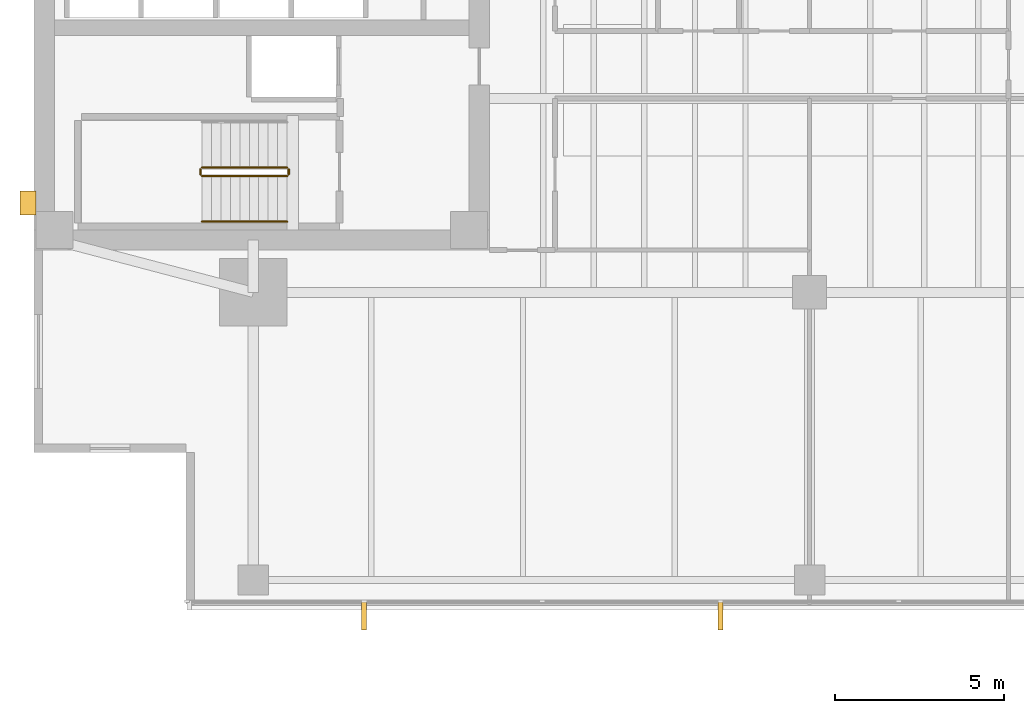
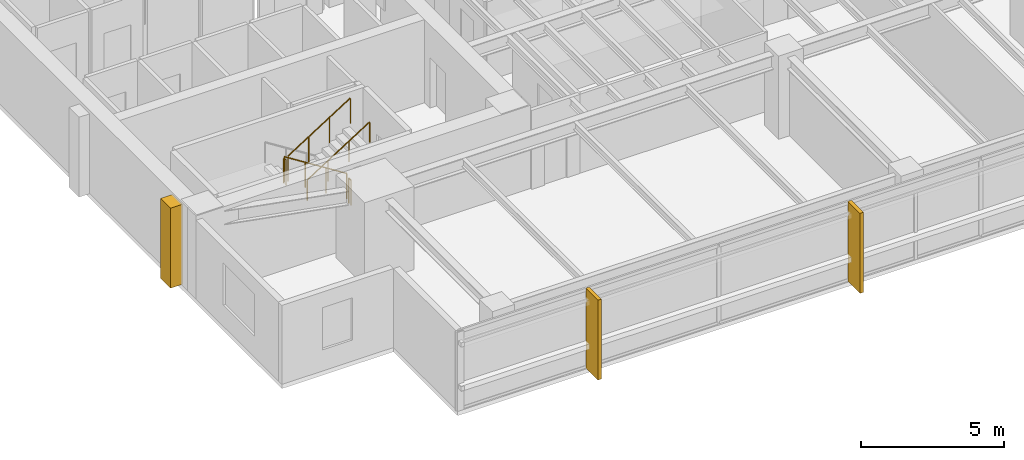
# One storey, part 11 of 14: 5 railings, 3 coverings.
"""IFC4 building model written with IfcOpenShell, lengths in metres."""

from ifc_helpers import new_model, si_unit, direction, frame, origin, origin_2d, place, context, subcontext, project, spatial, polyline, circle, outline, extrude, material, layer, layer_set, type_object, element, save


model = new_model("IFC4")

# Units and contexts
model_context = context("Model", 3, precision=1e-05, world=origin(), true_north=direction((0.0, 1.0)))
body_context = subcontext(model_context, "Body", "Model", "MODEL_VIEW")
ifc_project = project(units=[si_unit("LENGTHUNIT", "METRE"), si_unit("AREAUNIT", "SQUARE_METRE"), si_unit("VOLUMEUNIT", "CUBIC_METRE"), si_unit("PLANEANGLEUNIT", "RADIAN"), si_unit("MASSUNIT", "GRAM", prefix="KILO")], contexts=[model_context])

# Site, building, storey
site_placement = place(None, origin())
site = spatial("IfcSite", under=ifc_project, at=site_placement, CompositionType="ELEMENT")
building_placement = place(site_placement, origin())
building = spatial("IfcBuilding", under=site, at=building_placement, Name="Kinhvarn Gate Tower", CompositionType="ELEMENT")
storey_placement = place(building_placement, frame((0.0, 0.0, 141.300048828125)))
storey = spatial("IfcBuildingStorey", under=building, at=storey_placement, Name="L37", CompositionType="ELEMENT", Elevation=141.300048828125)

# Coverings
ifc_material_1 = material(Name="Fired architectural terracotta", Category="masonry")
ifc_layer_1 = layer(ifc_material_1, 0.139892578125)
ifc_layer_set_1 = layer_set([ifc_layer_1], Name="Fired architectural terracotta")
covering_type_1 = type_object("IfcCoveringType", Name="COV-FIN-850", PredefinedType="CLADDING", material=ifc_layer_set_1)
covering_1_placement = place(storey_placement, frame((0.0, 0.0, -0.02001953125)))
element("IfcCovering", 1, at=covering_1_placement, inside=storey, type_object=covering_type_1, Name="Vertical Terracotta Expressive Fin TFN-850 (L37)", PredefinedType="CLADDING", context=body_context, shape_type="SweptSolid", body=[
    extrude(outline(polyline([(14.2158203125, 3.580078125), (14.355712890625, 3.580078125), (14.355712890625, 2.72998046875), (14.2158203125, 2.72998046875), (14.2158203125, 3.580078125)])), origin(), (0.0, 0.0, 1.0), 3.409912109375),
])
covering_2_placement = place(storey_placement, frame((0.0, 0.0, -0.02001953125)))
element("IfcCovering", 2, at=covering_2_placement, inside=storey, type_object=covering_type_1, Name="Vertical Terracotta Expressive Fin TFN-850 (L37)", PredefinedType="CLADDING", context=body_context, shape_type="SweptSolid", body=[
    extrude(outline(polyline([(24.787109375, 3.580078125), (24.927001953125, 3.580078125), (24.927001953125, 2.72998046875), (24.787109375, 2.72998046875), (24.787109375, 3.580078125)])), origin(), (0.0, 0.0, 1.0), 3.409912109375),
])
ifc_material_2 = material(Name="Precast white architectural concrete C40/50", Category="concrete")
ifc_layer_2 = layer(ifc_material_2, 0.47998046875)
ifc_layer_set_2 = layer_set([ifc_layer_2], Name="Precast white architectural concrete C40/50")
covering_type_2 = type_object("IfcCoveringType", Name="COV-RIB-450", PredefinedType="CLADDING", material=ifc_layer_set_2)
covering_3_placement = place(storey_placement, frame((0.0, 0.0, -0.02001953125)))
element("IfcCovering", 3, at=covering_3_placement, inside=storey, type_object=covering_type_2, Name="West Core Sculptural Concrete Relief Rib CRB-450 (L37)", PredefinedType="CLADDING", context=body_context, shape_type="SweptSolid", body=[
    extrude(outline(polyline([(4.080078125, 15.050048828125), (4.56005859375, 15.050048828125), (4.56005859375, 15.75), (4.080078125, 15.75), (4.080078125, 15.050048828125)])), origin(), (0.0, 0.0, 1.0), 3.409912109375),
])

# Railings
ifc_material_3 = material(Name="Steel S355", Category="steel")
railing_type_1 = type_object("IfcRailingType", Name="RL-ST-GRD", PredefinedType="BALUSTRADE", material=ifc_material_3)
railing_1_placement = place(storey_placement, frame((12.0, 16.449951171875, 0.177490234375)))
element("IfcRailing", 4, at=railing_1_placement, inside=storey, type_object=railing_type_1, Name="L37 ST1 stair guard 1", PredefinedType="BALUSTRADE", context=body_context, shape_type="SweptSolid", body=[
    extrude(circle(Radius=0.02392578125, at=origin_2d()), frame((0.0, 0.0, 1.076171875), z_axis=(-0.84460694969, 0.0, 0.535386869969), x_axis=(0.0, -1.0, 0.0)), (0.0, 0.0, 1.0), 2.983642578125),
    extrude(circle(Radius=0.02099609375, at=origin_2d()), origin(), (0.0, 0.0, 1.0), 1.052001953125),
    extrude(circle(Radius=0.02099609375, at=origin_2d()), frame((-0.840087890625, 0.0, 0.532470703125)), (0.0, 0.0, 1.0), 1.052001953125),
    extrude(circle(Radius=0.02099609375, at=origin_2d()), frame((-1.679931640625, 0.0, 1.06494140625)), (0.0, 0.0, 1.0), 1.052001953125),
    extrude(circle(Radius=0.02099609375, at=origin_2d()), frame((-2.52001953125, 0.0, 1.597412109375)), (0.0, 0.0, 1.0), 1.052001953125),
])
railing_2_placement = place(storey_placement, frame((9.429931640625, 16.39990234375, 1.77490234375)))
element("IfcRailing", 5, at=railing_2_placement, inside=storey, type_object=railing_type_1, Name="L37 ST1 stair guard 2", PredefinedType="BALUSTRADE", context=body_context, shape_type="SweptSolid", body=[
    extrude(circle(Radius=0.02392578125, at=origin_2d()), frame((0.0, 0.0, 1.076171875), z_axis=(0.0, -1.0, 0.0), x_axis=(1.0, 0.0, 0.0)), (0.0, 0.0, 1.0), 0.14990234375),
    extrude(circle(Radius=0.02099609375, at=origin_2d()), origin(), (0.0, 0.0, 1.0), 1.052001953125),
    extrude(circle(Radius=0.02099609375, at=origin_2d()), frame((0.0, -0.14990234375, 0.0)), (0.0, 0.0, 1.0), 1.052001953125),
])
railing_3_placement = place(storey_placement, frame((9.47998046875, 16.199951171875, 1.952392578125)))
element("IfcRailing", 6, at=railing_3_placement, inside=storey, type_object=railing_type_1, Name="L37 ST1 stair guard 3", PredefinedType="BALUSTRADE", context=body_context, shape_type="SweptSolid", body=[
    extrude(circle(Radius=0.02392578125, at=origin_2d()), frame((0.0, 0.0, 1.076171875), z_axis=(0.84456994832, 0.0, 0.535445237532), x_axis=(0.0, 1.0, 0.0)), (0.0, 0.0, 1.0), 2.98388671875),
    extrude(circle(Radius=0.02099609375, at=origin_2d()), origin(), (0.0, 0.0, 1.0), 1.052001953125),
    extrude(circle(Radius=0.02099609375, at=origin_2d()), frame((0.840087890625, 0.0, 0.532470703125)), (0.0, 0.0, 1.0), 1.052001953125),
    extrude(circle(Radius=0.02099609375, at=origin_2d()), frame((1.679931640625, 0.0, 1.065185546875)), (0.0, 0.0, 1.0), 1.052001953125),
    extrude(circle(Radius=0.02099609375, at=origin_2d()), frame((2.52001953125, 0.0, 1.59765625)), (0.0, 0.0, 1.0), 1.052001953125),
])
railing_4_placement = place(storey_placement, frame((12.050048828125, 16.39990234375, 0.0)))
element("IfcRailing", 7, at=railing_4_placement, inside=storey, type_object=railing_type_1, Name="L37 ST1 stair guard 4", PredefinedType="BALUSTRADE", context=body_context, shape_type="SweptSolid", body=[
    extrude(circle(Radius=0.02392578125, at=origin_2d()), frame((0.0, 0.0, 1.076171875), z_axis=(0.0, -1.0, 0.0), x_axis=(1.0, 0.0, 0.0)), (0.0, 0.0, 1.0), 0.14990234375),
    extrude(circle(Radius=0.02099609375, at=origin_2d()), origin(), (0.0, 0.0, 1.0), 1.052001953125),
    extrude(circle(Radius=0.02099609375, at=origin_2d()), frame((0.0, -0.14990234375, 0.0)), (0.0, 0.0, 1.0), 1.052001953125),
])
railing_type_2 = type_object("IfcRailingType", Name="RL-ST-HND", PredefinedType="HANDRAIL", material=ifc_material_3)
railing_5_placement = place(storey_placement, frame((9.47998046875, 14.85009765625, 1.952392578125)))
element("IfcRailing", 8, at=railing_5_placement, inside=storey, type_object=railing_type_2, Name="L37 ST1 stair handrail 2", PredefinedType="HANDRAIL", context=body_context, shape_type="SweptSolid", body=[
    extrude(circle(Radius=0.02392578125, at=origin_2d()), frame((0.0, 0.0, 0.8759765625), z_axis=(0.84456994832, 0.0, 0.535445237532), x_axis=(0.0, 1.0, 0.0)), (0.0, 0.0, 1.0), 2.98388671875),
    extrude(circle(Radius=0.02099609375, at=origin_2d()), origin(), (0.0, 0.0, 1.0), 0.851806640625),
    extrude(circle(Radius=0.02099609375, at=origin_2d()), frame((0.840087890625, 0.0, 0.532470703125)), (0.0, 0.0, 1.0), 0.851806640625),
    extrude(circle(Radius=0.02099609375, at=origin_2d()), frame((1.679931640625, 0.0, 1.065185546875)), (0.0, 0.0, 1.0), 0.851806640625),
    extrude(circle(Radius=0.02099609375, at=origin_2d()), frame((2.52001953125, 0.0, 1.59765625)), (0.0, 0.0, 1.0), 0.851806640625),
])

save(model, "model.ifc")
